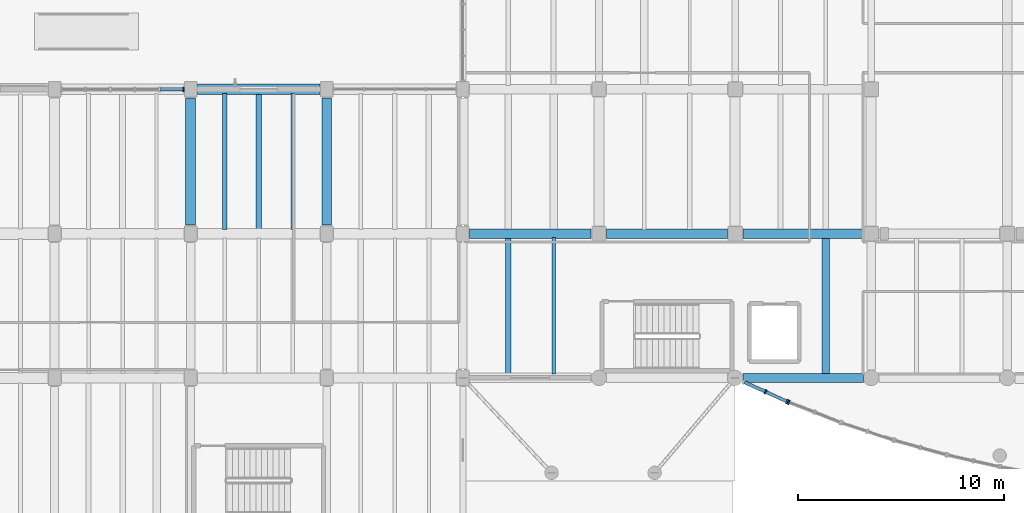
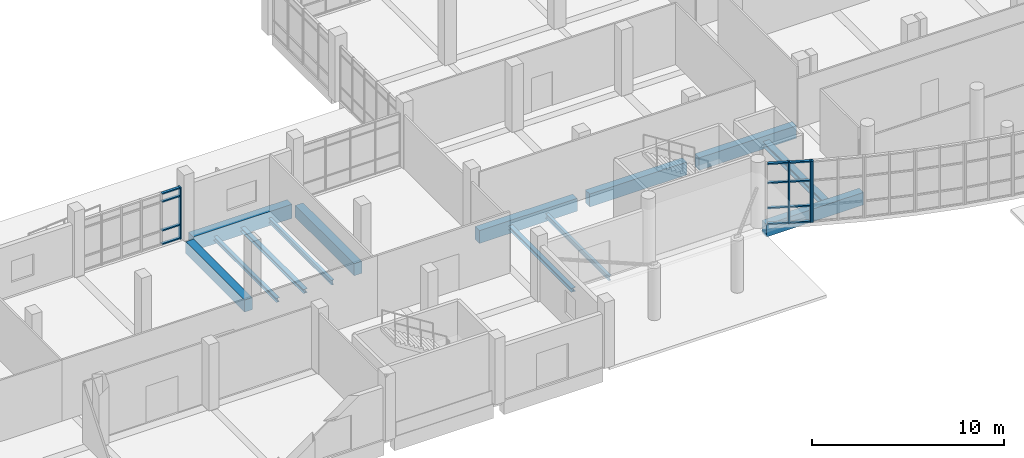
# One storey, part 5 of 69: 16 members, 13 beams, 3 elements without a shape of their own.
"""IFC4 building model written with IfcOpenShell, lengths in metres."""

from ifc_helpers import new_model, si_unit, direction, frame, origin, origin_2d, place, context, subcontext, project, spatial, rectangle, i_section, extrude, material, material_profile, profile_set, type_object, element, aggregate, save


model = new_model("IFC4")

# Units and contexts
model_context = context("Model", 3, precision=1e-05, world=origin(), true_north=direction((0.0, 1.0)))
body_context = subcontext(model_context, "Body", "Model", "MODEL_VIEW")
ifc_project = project(units=[si_unit("LENGTHUNIT", "METRE"), si_unit("AREAUNIT", "SQUARE_METRE"), si_unit("VOLUMEUNIT", "CUBIC_METRE"), si_unit("PLANEANGLEUNIT", "RADIAN"), si_unit("MASSUNIT", "GRAM", prefix="KILO")], contexts=[model_context])

# Site, building, storey
site_placement = place(None, origin())
site = spatial("IfcSite", under=ifc_project, at=site_placement, CompositionType="ELEMENT")
building_placement = place(site_placement, origin())
building = spatial("IfcBuilding", under=site, at=building_placement, Name="Ciguamira Faculty of Natural Sciences", CompositionType="ELEMENT")
storey_placement = place(building_placement, origin())
storey = spatial("IfcBuildingStorey", under=building, at=storey_placement, Name="L00", CompositionType="ELEMENT", Elevation=0.0)

# Curtain wall, member
ifc_material_1 = material(Name="Anodized aluminium curtain wall", Category="aluminium")
curtain_wall_type_1 = type_object("IfcCurtainWallType", Name="CurtainWall_CW-03", PredefinedType="USERDEFINED", material=ifc_material_1)
curtain_wall_1_placement = place(storey_placement, origin())
curtain_wall_1 = element("IfcCurtainWall", 1, at=curtain_wall_1_placement, inside=storey, type_object=curtain_wall_type_1, Name="L00 unitised curtain wall 0003", ObjectType="UNITISED CURTAIN WALL", PredefinedType="USERDEFINED")
ifc_material_2 = material(Name="Anodized aluminium mullion", Category="aluminium")
ifc_material_profile_1 = material_profile(ifc_material_2, rectangle(XDim=0.080078125, YDim=0.219970703125, at=origin_2d()), Name="ALU-MUL-80X220")
ifc_profile_set_1 = profile_set([ifc_material_profile_1], Name="Anodized aluminium mullion")
member_type_1 = type_object("IfcMemberType", Name="CWMullion_CWM-03", PredefinedType="MULLION", material=ifc_profile_set_1)
member_1_placement = place(storey_placement, frame((37.159912109375, 24.0, 0.0), z_axis=(0.0, 0.0, 1.0), x_axis=(1.0, 0.0, 0.0)))
member_1 = element("IfcMember", 2, at=member_1_placement, type_object=member_type_1, Name="CW-03 mullion 6", PredefinedType="MULLION", context=body_context, shape_type="SweptSolid", body=[
    extrude(rectangle(XDim=0.080078125, YDim=0.219970703125, at=origin_2d()), origin(), (0.0, 0.0, 1.0), 3.284912109375),
])

# Curtain wall, members
curtain_wall_type_2 = type_object("IfcCurtainWallType", Name="CurtainWall_CW-07", PredefinedType="USERDEFINED", material=ifc_material_1)
curtain_wall_2_placement = place(storey_placement, origin())
curtain_wall_2 = element("IfcCurtainWall", 3, at=curtain_wall_2_placement, inside=storey, type_object=curtain_wall_type_2, Name="L00 south gallery curved curtain wall 01", ObjectType="UNITISED CURTAIN WALL", PredefinedType="USERDEFINED")
member_2_placement = place(storey_placement, frame((65.37451171875, 9.33056640625, 0.0), z_axis=(0.0, 0.0, 1.0), x_axis=(0.910580503774, -0.41333176281, 0.0)))
member_2 = element("IfcMember", 4, at=member_2_placement, type_object=member_type_1, Name="CW-07 mullion 2", PredefinedType="MULLION", context=body_context, shape_type="SweptSolid", body=[
    extrude(rectangle(XDim=0.080078125, YDim=0.219970703125, at=origin_2d()), origin(), (0.0, 0.0, 1.0), 3.89990234375),
])
member_3_placement = place(storey_placement, frame((66.43017578125, 8.851318359375, 0.0), z_axis=(0.0, 0.0, 1.0), x_axis=(0.910580503774, -0.41333176281, 0.0)))
member_3 = element("IfcMember", 5, at=member_3_placement, type_object=member_type_1, Name="CW-07 mullion 3", PredefinedType="MULLION", context=body_context, shape_type="SweptSolid", body=[
    extrude(rectangle(XDim=0.080078125, YDim=0.219970703125, at=origin_2d()), origin(), (0.0, 0.0, 1.0), 3.89990234375),
])

# Curtain wall, member
curtain_wall_type_3 = type_object("IfcCurtainWallType", Name="CurtainWall_CW-08", PredefinedType="USERDEFINED", material=ifc_material_1)
curtain_wall_3_placement = place(storey_placement, origin())
curtain_wall_3 = element("IfcCurtainWall", 6, at=curtain_wall_3_placement, inside=storey, type_object=curtain_wall_type_3, Name="L00 south gallery curved curtain wall 02", ObjectType="UNITISED CURTAIN WALL", PredefinedType="USERDEFINED")
member_4_placement = place(storey_placement, frame((66.50390625, 8.8203125, 0.0), z_axis=(0.0, 0.0, 1.0), x_axis=(0.931122296337, -0.36470710065, 0.0)))
member_4 = element("IfcMember", 7, at=member_4_placement, type_object=member_type_1, Name="CW-08 mullion 1", PredefinedType="MULLION", context=body_context, shape_type="SweptSolid", body=[
    extrude(rectangle(XDim=0.080078125, YDim=0.219970703125, at=origin_2d()), origin(), (0.0, 0.0, 1.0), 3.89990234375),
])
aggregate(curtain_wall_3, [member_4])

# Member
ifc_material_3 = material(Name="Anodized aluminium transom", Category="aluminium")
ifc_material_profile_2 = material_profile(ifc_material_3, rectangle(XDim=0.080078125, YDim=0.159912109375, at=origin_2d()), Name="ALU-TRN-80X160")
ifc_profile_set_2 = profile_set([ifc_material_profile_2], Name="Anodized aluminium transom")
member_type_2 = type_object("IfcMemberType", Name="CWTransom_CWT-03", PredefinedType="USERDEFINED", material=ifc_profile_set_2)
member_5_placement = place(storey_placement, frame((36.0400390625, 24.0, 0.0400390625), z_axis=(1.0, 0.0, 0.0), x_axis=(0.0, 0.0, 1.0)))
member_5 = element("IfcMember", 8, at=member_5_placement, type_object=member_type_2, Name="CW-03 transom 5.1", ObjectType="TRANSOM", PredefinedType="USERDEFINED", context=body_context, shape_type="SweptSolid", body=[
    extrude(rectangle(XDim=0.080078125, YDim=0.159912109375, at=origin_2d()), origin(), (0.0, 0.0, 1.0), 1.080078125),
])

member_6_placement = place(storey_placement, frame((36.0400390625, 24.0, 0.89990234375), z_axis=(1.0, 0.0, 0.0), x_axis=(0.0, 0.0, 1.0)))
member_6 = element("IfcMember", 9, at=member_6_placement, type_object=member_type_2, Name="CW-03 transom 5.2", ObjectType="TRANSOM", PredefinedType="USERDEFINED", context=body_context, shape_type="SweptSolid", body=[
    extrude(rectangle(XDim=0.080078125, YDim=0.159912109375, at=origin_2d()), origin(), (0.0, 0.0, 1.0), 1.080078125),
])

member_7_placement = place(storey_placement, frame((36.0400390625, 24.0, 2.735107421875), z_axis=(1.0, 0.0, 0.0), x_axis=(0.0, 0.0, 1.0)))
member_7 = element("IfcMember", 10, at=member_7_placement, type_object=member_type_2, Name="CW-03 transom 5.3", ObjectType="TRANSOM", PredefinedType="USERDEFINED", context=body_context, shape_type="SweptSolid", body=[
    extrude(rectangle(XDim=0.080078125, YDim=0.159912109375, at=origin_2d()), origin(), (0.0, 0.0, 1.0), 1.080078125),
])

member_8_placement = place(storey_placement, frame((36.0400390625, 24.0, 3.2451171875), z_axis=(1.0, 0.0, 0.0), x_axis=(0.0, 0.0, 1.0)))
member_8 = element("IfcMember", 11, at=member_8_placement, type_object=member_type_2, Name="CW-03 transom 5.4", ObjectType="TRANSOM", PredefinedType="USERDEFINED", context=body_context, shape_type="SweptSolid", body=[
    extrude(rectangle(XDim=0.080078125, YDim=0.159912109375, at=origin_2d()), origin(), (0.0, 0.0, 1.0), 1.080078125),
])

aggregate(curtain_wall_1, [member_1, member_5, member_6, member_7, member_8])

member_9_placement = place(storey_placement, frame((64.355224609375, 9.793212890625, 0.0400390625), z_axis=(0.910621924114, -0.413240500585, 0.0), x_axis=(0.0, 0.0, 1.0)))
member_9 = element("IfcMember", 12, at=member_9_placement, type_object=member_type_2, Name="CW-07 transom 1.1", ObjectType="TRANSOM", PredefinedType="USERDEFINED", context=body_context, shape_type="SweptSolid", body=[
    extrude(rectangle(XDim=0.080078125, YDim=0.159912109375, at=origin_2d()), origin(), (0.0, 0.0, 1.0), 1.079345703125),
])

member_10_placement = place(storey_placement, frame((64.355224609375, 9.793212890625, 1.050048828125), z_axis=(0.910621924114, -0.413240500585, 0.0), x_axis=(0.0, 0.0, 1.0)))
member_10 = element("IfcMember", 13, at=member_10_placement, type_object=member_type_2, Name="CW-07 transom 1.2", ObjectType="TRANSOM", PredefinedType="USERDEFINED", context=body_context, shape_type="SweptSolid", body=[
    extrude(rectangle(XDim=0.080078125, YDim=0.159912109375, at=origin_2d()), origin(), (0.0, 0.0, 1.0), 1.079345703125),
])

member_11_placement = place(storey_placement, frame((64.355224609375, 9.793212890625, 2.64990234375), z_axis=(0.910621924114, -0.413240500585, 0.0), x_axis=(0.0, 0.0, 1.0)))
member_11 = element("IfcMember", 14, at=member_11_placement, type_object=member_type_2, Name="CW-07 transom 1.3", ObjectType="TRANSOM", PredefinedType="USERDEFINED", context=body_context, shape_type="SweptSolid", body=[
    extrude(rectangle(XDim=0.080078125, YDim=0.159912109375, at=origin_2d()), origin(), (0.0, 0.0, 1.0), 1.079345703125),
])

member_12_placement = place(storey_placement, frame((64.355224609375, 9.793212890625, 3.860107421875), z_axis=(0.910621924114, -0.413240500585, 0.0), x_axis=(0.0, 0.0, 1.0)))
member_12 = element("IfcMember", 15, at=member_12_placement, type_object=member_type_2, Name="CW-07 transom 1.4", ObjectType="TRANSOM", PredefinedType="USERDEFINED", context=body_context, shape_type="SweptSolid", body=[
    extrude(rectangle(XDim=0.080078125, YDim=0.159912109375, at=origin_2d()), origin(), (0.0, 0.0, 1.0), 1.079345703125),
])

member_13_placement = place(storey_placement, frame((65.410888671875, 9.314208984375, 0.0400390625), z_axis=(0.910536797913, -0.413428034422, 0.0), x_axis=(0.0, 0.0, 1.0)))
member_13 = element("IfcMember", 16, at=member_13_placement, type_object=member_type_2, Name="CW-07 transom 2.1", ObjectType="TRANSOM", PredefinedType="USERDEFINED", context=body_context, shape_type="SweptSolid", body=[
    extrude(rectangle(XDim=0.080078125, YDim=0.159912109375, at=origin_2d()), origin(), (0.0, 0.0, 1.0), 1.07958984375),
])

member_14_placement = place(storey_placement, frame((65.410888671875, 9.314208984375, 1.050048828125), z_axis=(0.910536797913, -0.413428034422, 0.0), x_axis=(0.0, 0.0, 1.0)))
member_14 = element("IfcMember", 17, at=member_14_placement, type_object=member_type_2, Name="CW-07 transom 2.2", ObjectType="TRANSOM", PredefinedType="USERDEFINED", context=body_context, shape_type="SweptSolid", body=[
    extrude(rectangle(XDim=0.080078125, YDim=0.159912109375, at=origin_2d()), origin(), (0.0, 0.0, 1.0), 1.07958984375),
])

member_15_placement = place(storey_placement, frame((65.410888671875, 9.314208984375, 2.64990234375), z_axis=(0.910536797913, -0.413428034422, 0.0), x_axis=(0.0, 0.0, 1.0)))
member_15 = element("IfcMember", 18, at=member_15_placement, type_object=member_type_2, Name="CW-07 transom 2.3", ObjectType="TRANSOM", PredefinedType="USERDEFINED", context=body_context, shape_type="SweptSolid", body=[
    extrude(rectangle(XDim=0.080078125, YDim=0.159912109375, at=origin_2d()), origin(), (0.0, 0.0, 1.0), 1.07958984375),
])

member_16_placement = place(storey_placement, frame((65.410888671875, 9.314208984375, 3.860107421875), z_axis=(0.910536797913, -0.413428034422, 0.0), x_axis=(0.0, 0.0, 1.0)))
member_16 = element("IfcMember", 19, at=member_16_placement, type_object=member_type_2, Name="CW-07 transom 2.4", ObjectType="TRANSOM", PredefinedType="USERDEFINED", context=body_context, shape_type="SweptSolid", body=[
    extrude(rectangle(XDim=0.080078125, YDim=0.159912109375, at=origin_2d()), origin(), (0.0, 0.0, 1.0), 1.07958984375),
])

aggregate(curtain_wall_2, [member_2, member_3, member_9, member_10, member_11, member_12, member_13, member_14, member_15, member_16])

# Beams
ifc_material_4 = material(Name="Concrete C40/50", Category="concrete")
ifc_material_profile_3 = material_profile(ifc_material_4, rectangle(XDim=0.5, YDim=0.89990234375, at=origin_2d()), Name="RC-BM-500X900")
ifc_profile_set_3 = profile_set([ifc_material_profile_3], Name="Concrete C40/50")
beam_type_1 = type_object("IfcBeamType", Name="RCBeam_BG-03_RC-BM-500X900", PredefinedType="BEAM", material=ifc_profile_set_3)
beam_1_placement = place(storey_placement, frame((37.824951171875, 24.0, -0.449951171875), z_axis=(1.0, 0.0, 0.0), x_axis=(0.0, 1.0, 0.0)))
element("IfcBeam", 20, at=beam_1_placement, inside=storey, type_object=beam_type_1, Name="L00 RC girder EW-0063", PredefinedType="BEAM", context=body_context, shape_type="SweptSolid", body=[
    extrude(rectangle(XDim=0.5, YDim=0.89990234375, at=origin_2d()), origin(), (0.0, 0.0, 1.0), 5.949951171875),
])
ifc_material_profile_4 = material_profile(ifc_material_4, rectangle(XDim=0.4599609375, YDim=0.820068359375, at=origin_2d()), Name="RC-BM-460X820")
ifc_profile_set_4 = profile_set([ifc_material_profile_4], Name="Concrete C40/50")
beam_type_2 = type_object("IfcBeamType", Name="RCBeam_BG-04_RC-BM-460X820", PredefinedType="BEAM", material=ifc_profile_set_4)
beam_2_placement = place(storey_placement, frame((51.02490234375, 17.0, -0.409912109375), z_axis=(1.0, 0.0, 0.0), x_axis=(0.0, 1.0, 0.0)))
element("IfcBeam", 21, at=beam_2_placement, inside=storey, type_object=beam_type_2, Name="L00 RC girder EW-0040", PredefinedType="BEAM", context=body_context, shape_type="SweptSolid", body=[
    extrude(rectangle(XDim=0.4599609375, YDim=0.820068359375, at=origin_2d()), origin(), (0.0, 0.0, 1.0), 5.900146484375),
])
beam_3_placement = place(storey_placement, frame((57.675048828125, 17.0, -0.409912109375), z_axis=(1.0, 0.0, 0.0), x_axis=(0.0, 1.0, 0.0)))
element("IfcBeam", 22, at=beam_3_placement, inside=storey, type_object=beam_type_2, Name="L00 RC girder EW-0041", PredefinedType="BEAM", context=body_context, shape_type="SweptSolid", body=[
    extrude(rectangle(XDim=0.4599609375, YDim=0.820068359375, at=origin_2d()), origin(), (0.0, 0.0, 1.0), 5.849853515625),
])
ifc_material_profile_5 = material_profile(ifc_material_4, rectangle(XDim=0.449951171875, YDim=0.800048828125, at=origin_2d()), Name="RC-BM-450X800")
ifc_profile_set_5 = profile_set([ifc_material_profile_5], Name="Concrete C40/50")
beam_type_3 = type_object("IfcBeamType", Name="RCBeam_BG-05_RC-BM-450X800", PredefinedType="BEAM", material=ifc_profile_set_5)
for number, where, z_axis, x_axis, name in (
    (23, (64.27490234375, 10.0, -0.39990234375), (1.0, 0.0, 0.0), (0.0, 1.0, 0.0), "L00 RC girder EW-0024"),
    (24, (64.27490234375, 17.0, -0.39990234375), (1.0, 0.0, 0.0), (0.0, 1.0, 0.0), "L00 RC girder EW-0042"),
):
    element("IfcBeam", number, at=place(storey_placement, frame(where, z_axis=z_axis, x_axis=x_axis)), inside=storey, type_object=beam_type_3, Name=name, PredefinedType="BEAM", context=body_context, shape_type="SweptSolid", body=[
        extrude(rectangle(XDim=0.449951171875, YDim=0.800048828125, at=origin_2d()), origin(), (0.0, 0.0, 1.0), 5.85009765625),
    ])
ifc_material_profile_6 = material_profile(ifc_material_4, rectangle(XDim=0.47998046875, YDim=0.760009765625, at=origin_2d()), Name="RC-TB-480X760")
ifc_profile_set_6 = profile_set([ifc_material_profile_6], Name="Concrete C40/50")
beam_type_4 = type_object("IfcBeamType", Name="RCBeam_TB-01_RC-TB-480X760", PredefinedType="T_BEAM", material=ifc_profile_set_6)
for number, where, z_axis, x_axis, name in (
    (25, (37.5, 17.425048828125, -0.3798828125), (0.0, 1.0, 0.0), (-1.0, 0.0, 0.0), "L00 girder NS-0209"),
    (26, (44.10009765625, 17.425048828125, -0.3798828125), (0.0, 1.0, 0.0), (-1.0, 0.0, 0.0), "L00 girder NS-0212"),
):
    element("IfcBeam", number, at=place(storey_placement, frame(where, z_axis=z_axis, x_axis=x_axis)), inside=storey, type_object=beam_type_4, Name=name, PredefinedType="T_BEAM", context=body_context, shape_type="SweptSolid", body=[
        extrude(rectangle(XDim=0.47998046875, YDim=0.760009765625, at=origin_2d()), origin(), (0.0, 0.0, 1.0), 6.14990234375),
    ])
ifc_material_5 = material(Name="Steel ASTM A992 Grade 50", Category="steel")
ifc_material_profile_7 = material_profile(ifc_material_5, i_section(OverallWidth=0.2021484375, OverallDepth=0.2470703125, WebThickness=0.00732421875, FlangeThickness=0.010986328125, at=origin_2d()), Name="W10X33")
ifc_profile_set_7 = profile_set([ifc_material_profile_7], Name="Steel ASTM A992 Grade 50")
beam_type_5 = type_object("IfcBeamType", Name="SteelJoist_SJ-02_W10X33", PredefinedType="JOIST", material=ifc_profile_set_7)
beam_4_placement = place(storey_placement, frame((39.14990234375, 17.2099609375, -0.523681640625), z_axis=(0.0, 1.0, 0.0), x_axis=(-1.0, 0.0, 0.0)))
element("IfcBeam", 27, at=beam_4_placement, inside=storey, type_object=beam_type_5, Name="L00 composite steel joist 00045", PredefinedType="JOIST", context=body_context, shape_type="SweptSolid", body=[
    extrude(i_section(OverallWidth=0.2021484375, OverallDepth=0.2470703125, WebThickness=0.00732421875, FlangeThickness=0.010986328125, at=origin_2d()), origin(), (0.0, 0.0, 1.0), 6.580078125),
])
ifc_material_profile_8 = material_profile(ifc_material_5, i_section(OverallWidth=0.25390625, OverallDepth=0.25390625, WebThickness=0.008544921875, FlangeThickness=0.01416015625, at=origin_2d()), Name="W10X49")
ifc_profile_set_8 = profile_set([ifc_material_profile_8], Name="Steel ASTM A992 Grade 50")
beam_type_6 = type_object("IfcBeamType", Name="SteelJoist_SJ-03_W10X49", PredefinedType="JOIST", material=ifc_profile_set_8)
beam_5_placement = place(storey_placement, frame((40.800048828125, 17.2099609375, -0.527099609375), z_axis=(0.0, 1.0, 0.0), x_axis=(-1.0, 0.0, 0.0)))
element("IfcBeam", 28, at=beam_5_placement, inside=storey, type_object=beam_type_6, Name="L00 composite steel joist 00046", PredefinedType="JOIST", context=body_context, shape_type="SweptSolid", body=[
    extrude(i_section(OverallWidth=0.25390625, OverallDepth=0.25390625, WebThickness=0.008544921875, FlangeThickness=0.01416015625, at=origin_2d()), origin(), (0.0, 0.0, 1.0), 6.580078125),
])
beam_6_placement = place(storey_placement, frame((52.89990234375, 10.18994140625, -0.427001953125), z_axis=(0.0, 1.0, 0.0), x_axis=(-1.0, 0.0, 0.0)))
element("IfcBeam", 29, at=beam_6_placement, inside=storey, type_object=beam_type_6, Name="L00 composite steel joist 00057", PredefinedType="JOIST", context=body_context, shape_type="SweptSolid", body=[
    extrude(i_section(OverallWidth=0.25390625, OverallDepth=0.25390625, WebThickness=0.008544921875, FlangeThickness=0.01416015625, at=origin_2d()), origin(), (0.0, 0.0, 1.0), 6.6201171875),
])
ifc_material_profile_9 = material_profile(ifc_material_5, i_section(OverallWidth=0.164794921875, OverallDepth=0.309814453125, WebThickness=0.005859375, FlangeThickness=0.009765625, at=origin_2d()), Name="W12X26")
ifc_profile_set_9 = profile_set([ifc_material_profile_9], Name="Steel ASTM A992 Grade 50")
beam_type_7 = type_object("IfcBeamType", Name="SteelJoist_SJ-04_W12X26", PredefinedType="JOIST", material=ifc_profile_set_9)
beam_7_placement = place(storey_placement, frame((42.449951171875, 17.2099609375, -0.554931640625), z_axis=(0.0, 1.0, 0.0), x_axis=(-1.0, 0.0, 0.0)))
element("IfcBeam", 30, at=beam_7_placement, inside=storey, type_object=beam_type_7, Name="L00 composite steel joist 00047", PredefinedType="JOIST", context=body_context, shape_type="SweptSolid", body=[
    extrude(i_section(OverallWidth=0.164794921875, OverallDepth=0.309814453125, WebThickness=0.005859375, FlangeThickness=0.009765625, at=origin_2d()), origin(), (0.0, 0.0, 1.0), 6.580078125),
])
beam_8_placement = place(storey_placement, frame((55.10009765625, 10.18994140625, -0.454833984375), z_axis=(0.0, 1.0, 0.0), x_axis=(-1.0, 0.0, 0.0)))
element("IfcBeam", 31, at=beam_8_placement, inside=storey, type_object=beam_type_7, Name="L00 composite steel joist 00058", PredefinedType="JOIST", context=body_context, shape_type="SweptSolid", body=[
    extrude(i_section(OverallWidth=0.164794921875, OverallDepth=0.309814453125, WebThickness=0.005859375, FlangeThickness=0.009765625, at=origin_2d()), origin(), (0.0, 0.0, 1.0), 6.6201171875),
])
ifc_material_profile_10 = material_profile(ifc_material_5, i_section(OverallWidth=0.373291015625, OverallDepth=0.373291015625, WebThickness=0.016357421875, FlangeThickness=0.026123046875, at=origin_2d()), Name="W14X132")
ifc_profile_set_10 = profile_set([ifc_material_profile_10], Name="Steel ASTM A992 Grade 50")
beam_type_8 = type_object("IfcBeamType", Name="SteelJoist_SJ-10_W14X132", PredefinedType="JOIST", material=ifc_profile_set_10)
beam_9_placement = place(storey_placement, frame((68.300048828125, 10.18505859375, -0.48681640625), z_axis=(0.0, 1.0, 0.0), x_axis=(-1.0, 0.0, 0.0)))
element("IfcBeam", 32, at=beam_9_placement, inside=storey, type_object=beam_type_8, Name="L00 composite steel joist 00092", PredefinedType="JOIST", context=body_context, shape_type="SweptSolid", body=[
    extrude(i_section(OverallWidth=0.373291015625, OverallDepth=0.373291015625, WebThickness=0.016357421875, FlangeThickness=0.026123046875, at=origin_2d()), origin(), (0.0, 0.0, 1.0), 6.6298828125),
])

save(model, "model.ifc")
